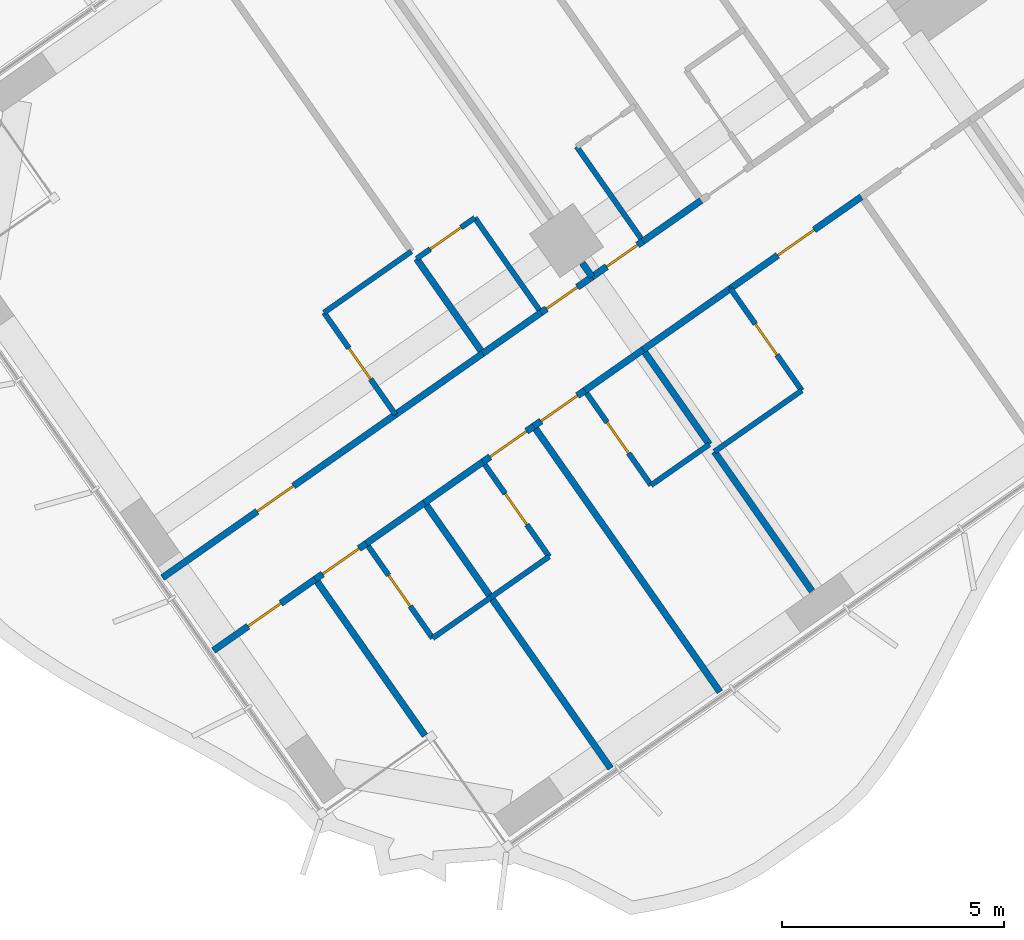
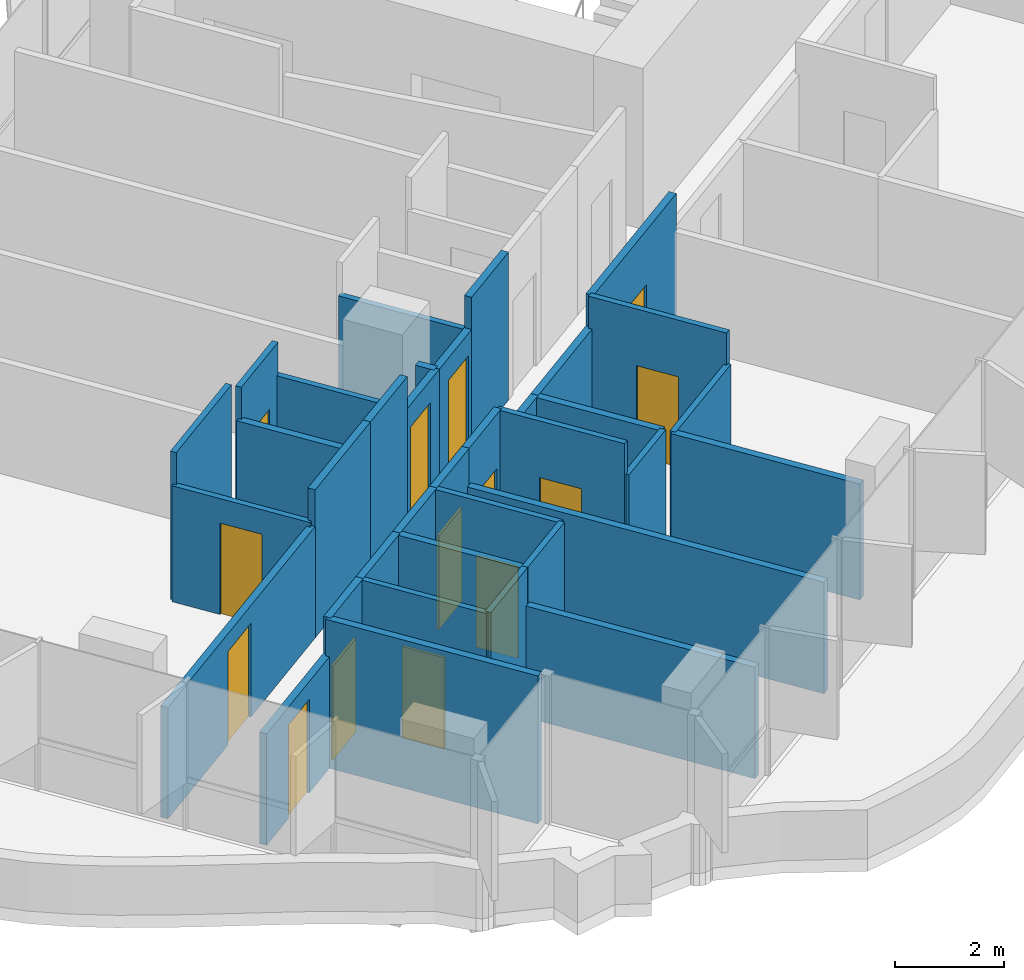
# One storey, part 12 of 24: 36 walls, 14 doors, 14 openings.
"""IFC4 building model written with IfcOpenShell, lengths in metres."""

from ifc_helpers import new_model, si_unit, direction, frame, frame_2d, origin, place, context, subcontext, project, spatial, rectangle, extrude, material, layer, layer_set, type_object, element, fill, save


model = new_model("IFC4")

# Units and contexts
model_context = context("Model", 3, precision=1e-05, world=origin(), true_north=direction((0.0, 1.0)))
body_context = subcontext(model_context, "Body", "Model", "MODEL_VIEW")
ifc_project = project(units=[si_unit("LENGTHUNIT", "METRE"), si_unit("AREAUNIT", "SQUARE_METRE"), si_unit("VOLUMEUNIT", "CUBIC_METRE"), si_unit("PLANEANGLEUNIT", "RADIAN"), si_unit("MASSUNIT", "GRAM", prefix="KILO")], contexts=[model_context])

# Site, building, storey
site_placement = place(None, origin())
site = spatial("IfcSite", under=ifc_project, at=site_placement, CompositionType="ELEMENT")
building_placement = place(site_placement, origin())
building = spatial("IfcBuilding", under=site, at=building_placement, Name="Tel Ilan Convention Tower", CompositionType="ELEMENT")
storey_placement = place(building_placement, frame((0.0, 0.0, 90.5)))
storey = spatial("IfcBuildingStorey", under=building, at=storey_placement, Name="L18", CompositionType="ELEMENT", Elevation=90.5)

# Wall, opening, door
ifc_material_1 = material(Name="Plasterboard on Steel Studs", Category="steel")
ifc_layer_1 = layer(ifc_material_1, 0.14990234375)
ifc_layer_set_1 = layer_set([ifc_layer_1], Name="Fire-rated Partition 150 EI 60")
wall_type_1 = type_object("IfcWallType", Name="Fire-rated Partition 150 EI 60", PredefinedType="PARTITIONING", material=ifc_layer_set_1)
wall_1_placement = place(storey_placement, frame((-27.768310546875, -20.664306640625, 0.0), z_axis=(0.0, 0.0, 1.0), x_axis=(-0.81914197737, -0.573590813132, 0.0)))
wall_1 = element("IfcWall", 1, at=wall_1_placement, inside=storey, type_object=wall_type_1, Name="Partition 023", PredefinedType="PARTITIONING", context=body_context, shape_type="SweptSolid", body=[
    extrude(rectangle(XDim=1.40283203125, YDim=0.14990234375, at=frame_2d((0.701416015625, 0.0))), origin(), (0.0, 0.0, 1.0), 2.60009765625),
])
opening_1_placement = place(wall_1_placement, frame((0.14990234375, 0.0, 0.0)))
opening_1 = element("IfcOpeningElement", 2, at=opening_1_placement, cuts=wall_1, Name="Opening L18-020", PredefinedType="OPENING", context=body_context, shape_type="SweptSolid", body=[
    extrude(rectangle(XDim=0.85009765625, YDim=2.10009765625, at=frame_2d((0.425048828125, 1.050048828125))), frame((0.0, 0.0849609375, 0.0), z_axis=(0.0, -1.0, 0.0), x_axis=(1.0, 0.0, 0.0)), (0.0, 0.0, 1.0), 0.169921875),
])
ifc_material_2 = material(Name="Timber Door Leaf in Steel Frame", Category="steel")
door_type_1 = type_object("IfcDoorType", Name="Room Fire Door 850x2100", OperationType="NOTDEFINED", PredefinedType="DOOR", material=ifc_material_2)
door_1_placement = place(opening_1_placement, origin())
door_1 = element("IfcDoor", 3, at=door_1_placement, inside=storey, type_object=door_type_1, Name="Door L18-020", OperationType="SINGLE_SWING_LEFT", OverallHeight=2.10009765625, OverallWidth=0.85009765625, PredefinedType="DOOR", context=body_context, shape_type="SweptSolid", body=[
    extrude(rectangle(XDim=0.85009765625, YDim=2.10009765625, at=frame_2d((0.425048828125, 1.050048828125))), frame((0.0, 0.02490234375, 0.0), z_axis=(0.0, -1.0, 0.0), x_axis=(1.0, 0.0, 0.0)), (0.0, 0.0, 1.0), 0.050048828125),
])
fill(opening_1, door_1)

# Wall
wall_2_placement = place(storey_placement, frame((-27.770751953125, -20.666015625, 0.0), z_axis=(0.0, 0.0, 1.0), x_axis=(0.819189013667, 0.573523634986, 0.0)))
element("IfcWall", 4, at=wall_2_placement, inside=storey, type_object=wall_type_1, Name="Partition 024", PredefinedType="PARTITIONING", context=body_context, shape_type="SweptSolid", body=[
    extrude(rectangle(XDim=1.60400390625, YDim=0.14990234375, at=frame_2d((0.802001953125, 0.0))), origin(), (0.0, 0.0, 1.0), 3.320068359375),
])

# Wall, opening, door
wall_3_placement = place(storey_placement, frame((-28.914306640625, -21.466796875, 0.0), z_axis=(0.0, 0.0, 1.0), x_axis=(-0.81914197737, -0.573590813132, 0.0)))
wall_3 = element("IfcWall", 5, at=wall_3_placement, inside=storey, type_object=wall_type_1, Name="Partition 025", PredefinedType="PARTITIONING", context=body_context, shape_type="SweptSolid", body=[
    extrude(rectangle(XDim=1.40283203125, YDim=0.14990234375, at=frame_2d((0.701416015625, 0.0))), origin(), (0.0, 0.0, 1.0), 2.60009765625),
])
opening_2_placement = place(wall_3_placement, frame((0.403076171875, 0.0, 0.0)))
opening_2 = element("IfcOpeningElement", 6, at=opening_2_placement, cuts=wall_3, Name="Opening L18-022", PredefinedType="OPENING", context=body_context, shape_type="SweptSolid", body=[
    extrude(rectangle(XDim=0.85009765625, YDim=2.10009765625, at=frame_2d((0.425048828125, 1.050048828125))), frame((0.0, 0.0849609375, 0.0), z_axis=(0.0, -1.0, 0.0), x_axis=(1.0, 0.0, 0.0)), (0.0, 0.0, 1.0), 0.169921875),
])
door_2_placement = place(opening_2_placement, origin())
door_2 = element("IfcDoor", 7, at=door_2_placement, inside=storey, type_object=door_type_1, Name="Door L18-022", OperationType="SINGLE_SWING_RIGHT", OverallHeight=2.10009765625, OverallWidth=0.85009765625, PredefinedType="DOOR", context=body_context, shape_type="SweptSolid", body=[
    extrude(rectangle(XDim=0.85009765625, YDim=2.10009765625, at=frame_2d((0.425048828125, 1.050048828125))), frame((0.0, 0.02490234375, 0.0), z_axis=(0.0, -1.0, 0.0), x_axis=(1.0, 0.0, 0.0)), (0.0, 0.0, 1.0), 0.050048828125),
])
fill(opening_2, door_2)

# Wall
wall_4_placement = place(storey_placement, frame((-31.375, -23.189697265625, 0.0), z_axis=(0.0, 0.0, 1.0), x_axis=(0.819189013667, 0.573523634986, 0.0)))
element("IfcWall", 8, at=wall_4_placement, inside=storey, type_object=wall_type_1, Name="Partition 026", PredefinedType="PARTITIONING", context=body_context, shape_type="SweptSolid", body=[
    extrude(rectangle(XDim=1.60400390625, YDim=0.14990234375, at=frame_2d((0.802001953125, 0.0))), origin(), (0.0, 0.0, 1.0), 3.320068359375),
])

# Wall, opening, door
wall_5_placement = place(storey_placement, frame((-38.581787109375, -28.236083984375, 0.0), z_axis=(0.0, 0.0, 1.0), x_axis=(0.819158447199, 0.573567291939, 0.0)))
wall_5 = element("IfcWall", 9, at=wall_5_placement, inside=storey, type_object=wall_type_1, Name="Partition 027", PredefinedType="PARTITIONING", context=body_context, shape_type="SweptSolid", body=[
    extrude(rectangle(XDim=6.40087890625, YDim=0.14990234375, at=frame_2d((3.200439453125, 0.0))), origin(), (0.0, 0.0, 1.0), 2.5),
])
opening_3_placement = place(wall_5_placement, frame((2.60009765625, 0.0, 0.0)))
opening_3 = element("IfcOpeningElement", 10, at=opening_3_placement, cuts=wall_5, Name="Opening L18-024", PredefinedType="OPENING", context=body_context, shape_type="SweptSolid", body=[
    extrude(rectangle(XDim=1.0, YDim=2.10009765625, at=frame_2d((0.5, 1.050048828125))), frame((0.0, 0.0849609375, 0.0), z_axis=(0.0, -1.0, 0.0), x_axis=(1.0, 0.0, 0.0)), (0.0, 0.0, 1.0), 0.169921875),
])
ifc_material_3 = material(Name="Timber Door Leaf in Steel Frame", Category="steel")
door_type_2 = type_object("IfcDoorType", Name="Hotel Room Entrance Fire Door 1000x2100", OperationType="NOTDEFINED", PredefinedType="DOOR", material=ifc_material_3)
door_3_placement = place(opening_3_placement, origin())
door_3 = element("IfcDoor", 11, at=door_3_placement, inside=storey, type_object=door_type_2, Name="Door L18-024", OperationType="SINGLE_SWING_RIGHT", OverallHeight=2.10009765625, OverallWidth=1.0, PredefinedType="DOOR", context=body_context, shape_type="SweptSolid", body=[
    extrude(rectangle(XDim=1.0, YDim=2.10009765625, at=frame_2d((0.5, 1.050048828125))), frame((0.0, 0.02490234375, 0.0), z_axis=(0.0, -1.0, 0.0), x_axis=(1.0, 0.0, 0.0)), (0.0, 0.0, 1.0), 0.050048828125),
])
fill(opening_3, door_3)

# Wall
wall_6_placement = place(storey_placement, frame((-33.341064453125, -24.56640625, 0.0), z_axis=(0.0, 0.0, 1.0), x_axis=(0.819179439794, 0.573537309527, 0.0)))
element("IfcWall", 12, at=wall_6_placement, inside=storey, type_object=wall_type_1, Name="Partition 028", PredefinedType="PARTITIONING", context=body_context, shape_type="SweptSolid", body=[
    extrude(rectangle(XDim=2.404296875, YDim=0.14990234375, at=frame_2d((1.2021484375, 0.0))), origin(), (0.0, 0.0, 1.0), 3.320068359375),
])

# Wall, opening, door
wall_7_placement = place(storey_placement, frame((-22.852294921875, -19.66357421875, 0.0), z_axis=(0.0, 0.0, 1.0), x_axis=(-0.819145961204, -0.573585123798, 0.0)))
wall_7 = element("IfcWall", 13, at=wall_7_placement, inside=storey, type_object=wall_type_1, Name="Partition 035", PredefinedType="PARTITIONING", context=body_context, shape_type="SweptSolid", body=[
    extrude(rectangle(XDim=3.60302734375, YDim=0.14990234375, at=frame_2d((1.801513671875, 0.0))), origin(), (0.0, 0.0, 1.0), 3.320068359375),
])
opening_4_placement = place(wall_7_placement, frame((1.302001953125, 0.0, 0.0)))
opening_4 = element("IfcOpeningElement", 14, at=opening_4_placement, cuts=wall_7, Name="Opening L18-008", PredefinedType="OPENING", context=body_context, shape_type="SweptSolid", body=[
    extrude(rectangle(XDim=1.0, YDim=2.10009765625, at=frame_2d((0.5, 1.050048828125))), frame((0.0, 0.0849609375, 0.0), z_axis=(0.0, -1.0, 0.0), x_axis=(1.0, 0.0, 0.0)), (0.0, 0.0, 1.0), 0.169921875),
])
door_4_placement = place(opening_4_placement, origin())
door_4 = element("IfcDoor", 15, at=door_4_placement, inside=storey, type_object=door_type_2, Name="Door L18-008", OperationType="SINGLE_SWING_RIGHT", OverallHeight=2.10009765625, OverallWidth=1.0, PredefinedType="DOOR", context=body_context, shape_type="SweptSolid", body=[
    extrude(rectangle(XDim=1.0, YDim=2.10009765625, at=frame_2d((0.5, 1.050048828125))), frame((0.0, 0.02490234375, 0.0), z_axis=(0.0, -1.0, 0.0), x_axis=(1.0, 0.0, 0.0)), (0.0, 0.0, 1.0), 0.050048828125),
])
fill(opening_4, door_4)

# Wall
wall_8_placement = place(storey_placement, frame((-25.801025390625, -21.728515625, 0.0), z_axis=(0.0, 0.0, 1.0), x_axis=(-0.819179439794, -0.573537309527, 0.0)))
element("IfcWall", 16, at=wall_8_placement, inside=storey, type_object=wall_type_1, Name="Partition 036", PredefinedType="PARTITIONING", context=body_context, shape_type="SweptSolid", body=[
    extrude(rectangle(XDim=2.404296875, YDim=0.14990234375, at=frame_2d((1.2021484375, 0.0))), origin(), (0.0, 0.0, 1.0), 2.60009765625),
])

# Wall, opening, door
wall_9_placement = place(storey_placement, frame((-29.07861328125, -24.0234375, 0.0), z_axis=(0.0, 0.0, 1.0), x_axis=(-0.81914197737, -0.573590813132, 0.0)))
wall_9 = element("IfcWall", 17, at=wall_9_placement, inside=storey, type_object=wall_type_1, Name="Partition 037", PredefinedType="PARTITIONING", context=body_context, shape_type="SweptSolid", body=[
    extrude(rectangle(XDim=1.40283203125, YDim=0.14990234375, at=frame_2d((0.701416015625, 0.0))), origin(), (0.0, 0.0, 1.0), 3.320068359375),
])
opening_5_placement = place(wall_9_placement, frame((0.200927734375, 0.0, 0.0)))
opening_5 = element("IfcOpeningElement", 18, at=opening_5_placement, cuts=wall_9, Name="Opening L18-010", PredefinedType="OPENING", context=body_context, shape_type="SweptSolid", body=[
    extrude(rectangle(XDim=1.0, YDim=2.10009765625, at=frame_2d((0.5, 1.050048828125))), frame((0.0, 0.0849609375, 0.0), z_axis=(0.0, -1.0, 0.0), x_axis=(1.0, 0.0, 0.0)), (0.0, 0.0, 1.0), 0.169921875),
])
door_5_placement = place(opening_5_placement, origin())
door_5 = element("IfcDoor", 19, at=door_5_placement, inside=storey, type_object=door_type_2, Name="Door L18-010", OperationType="SINGLE_SWING_LEFT", OverallHeight=2.10009765625, OverallWidth=1.0, PredefinedType="DOOR", context=body_context, shape_type="SweptSolid", body=[
    extrude(rectangle(XDim=1.0, YDim=2.10009765625, at=frame_2d((0.5, 1.050048828125))), frame((0.0, 0.02490234375, 0.0), z_axis=(0.0, -1.0, 0.0), x_axis=(1.0, 0.0, 0.0)), (0.0, 0.0, 1.0), 0.050048828125),
])
fill(opening_5, door_5)

# Wall
wall_10_placement = place(storey_placement, frame((-27.76708984375, -23.10498046875, 0.0), z_axis=(0.0, 0.0, 1.0), x_axis=(-0.819117502046, -0.573625764625, 0.0)))
element("IfcWall", 20, at=wall_10_placement, inside=storey, type_object=wall_type_1, Name="Partition 038", PredefinedType="PARTITIONING", context=body_context, shape_type="SweptSolid", body=[
    extrude(rectangle(XDim=1.60400390625, YDim=0.14990234375, at=frame_2d((0.802001953125, 0.0))), origin(), (0.0, 0.0, 1.0), 2.60009765625),
])

# Wall, opening, door
wall_11_placement = place(storey_placement, frame((-30.224609375, -24.82568359375, 0.0), z_axis=(0.0, 0.0, 1.0), x_axis=(-0.819060210533, -0.573707566205, 0.0)))
wall_11 = element("IfcWall", 21, at=wall_11_placement, inside=storey, type_object=wall_type_1, Name="Partition 039", PredefinedType="PARTITIONING", context=body_context, shape_type="SweptSolid", body=[
    extrude(rectangle(XDim=1.403076171875, YDim=0.14990234375, at=frame_2d((0.70166015625, 0.0))), origin(), (0.0, 0.0, 1.0), 3.320068359375),
])
opening_6_placement = place(wall_11_placement, frame((0.201904296875, 0.0, 0.0)))
opening_6 = element("IfcOpeningElement", 22, at=opening_6_placement, cuts=wall_11, Name="Opening L18-012", PredefinedType="OPENING", context=body_context, shape_type="SweptSolid", body=[
    extrude(rectangle(XDim=1.0, YDim=2.10009765625, at=frame_2d((0.5, 1.050048828125))), frame((0.0, 0.0849609375, 0.0), z_axis=(0.0, -1.0, 0.0), x_axis=(1.0, 0.0, 0.0)), (0.0, 0.0, 1.0), 0.169921875),
])
door_6_placement = place(opening_6_placement, origin())
door_6 = element("IfcDoor", 23, at=door_6_placement, inside=storey, type_object=door_type_2, Name="Door L18-012", OperationType="SINGLE_SWING_LEFT", OverallHeight=2.10009765625, OverallWidth=1.0, PredefinedType="DOOR", context=body_context, shape_type="SweptSolid", body=[
    extrude(rectangle(XDim=1.0, YDim=2.10009765625, at=frame_2d((0.5, 1.050048828125))), frame((0.0, 0.02490234375, 0.0), z_axis=(0.0, -1.0, 0.0), x_axis=(1.0, 0.0, 0.0)), (0.0, 0.0, 1.0), 0.050048828125),
])
fill(opening_6, door_6)

# Wall
wall_12_placement = place(storey_placement, frame((-31.371337890625, -25.62890625, 0.0), z_axis=(0.0, 0.0, 1.0), x_axis=(-0.819189013667, -0.573523634986, 0.0)))
element("IfcWall", 24, at=wall_12_placement, inside=storey, type_object=wall_type_1, Name="Partition 040", PredefinedType="PARTITIONING", context=body_context, shape_type="SweptSolid", body=[
    extrude(rectangle(XDim=1.60400390625, YDim=0.14990234375, at=frame_2d((0.802001953125, 0.0))), origin(), (0.0, 0.0, 1.0), 3.320068359375),
])

# Wall, opening, door
wall_13_placement = place(storey_placement, frame((-33.993408203125, -27.46484375, 0.0), z_axis=(0.0, 0.0, 1.0), x_axis=(-0.819199220913, -0.573509055252, 0.0)))
wall_13 = element("IfcWall", 25, at=wall_13_placement, inside=storey, type_object=wall_type_1, Name="Partition 041", PredefinedType="PARTITIONING", context=body_context, shape_type="SweptSolid", body=[
    extrude(rectangle(XDim=1.403076171875, YDim=0.14990234375, at=frame_2d((0.70166015625, 0.0))), origin(), (0.0, 0.0, 1.0), 3.320068359375),
])
opening_7_placement = place(wall_13_placement, frame((0.200927734375, 0.0, 0.0)))
opening_7 = element("IfcOpeningElement", 26, at=opening_7_placement, cuts=wall_13, Name="Opening L18-014", PredefinedType="OPENING", context=body_context, shape_type="SweptSolid", body=[
    extrude(rectangle(XDim=1.0, YDim=2.10009765625, at=frame_2d((0.5, 1.050048828125))), frame((0.0, 0.0849609375, 0.0), z_axis=(0.0, -1.0, 0.0), x_axis=(1.0, 0.0, 0.0)), (0.0, 0.0, 1.0), 0.169921875),
])
door_7_placement = place(opening_7_placement, origin())
door_7 = element("IfcDoor", 27, at=door_7_placement, inside=storey, type_object=door_type_2, Name="Door L18-014", OperationType="SINGLE_SWING_LEFT", OverallHeight=2.10009765625, OverallWidth=1.0, PredefinedType="DOOR", context=body_context, shape_type="SweptSolid", body=[
    extrude(rectangle(XDim=1.0, YDim=2.10009765625, at=frame_2d((0.5, 1.050048828125))), frame((0.0, 0.02490234375, 0.0), z_axis=(0.0, -1.0, 0.0), x_axis=(1.0, 0.0, 0.0)), (0.0, 0.0, 1.0), 0.050048828125),
])
fill(opening_7, door_7)

# Wall
wall_14_placement = place(storey_placement, frame((-32.681884765625, -26.54638671875, 0.0), z_axis=(0.0, 0.0, 1.0), x_axis=(-0.819117502046, -0.573625764625, 0.0)))
element("IfcWall", 28, at=wall_14_placement, inside=storey, type_object=wall_type_1, Name="Partition 042", PredefinedType="PARTITIONING", context=body_context, shape_type="SweptSolid", body=[
    extrude(rectangle(XDim=1.60400390625, YDim=0.14990234375, at=frame_2d((0.802001953125, 0.0))), origin(), (0.0, 0.0, 1.0), 3.320068359375),
])

# Wall, opening, door
wall_15_placement = place(storey_placement, frame((-35.139404296875, -28.26708984375, 0.0), z_axis=(0.0, 0.0, 1.0), x_axis=(-0.819125488359, -0.573614360281, 0.0)))
wall_15 = element("IfcWall", 29, at=wall_15_placement, inside=storey, type_object=wall_type_1, Name="Partition 043", PredefinedType="PARTITIONING", context=body_context, shape_type="SweptSolid", body=[
    extrude(rectangle(XDim=2.80224609375, YDim=0.14990234375, at=frame_2d((1.401123046875, 0.0))), origin(), (0.0, 0.0, 1.0), 2.5),
])
opening_8_placement = place(wall_15_placement, frame((0.950927734375, 0.0, 0.0)))
opening_8 = element("IfcOpeningElement", 30, at=opening_8_placement, cuts=wall_15, Name="Opening L18-015", PredefinedType="OPENING", context=body_context, shape_type="SweptSolid", body=[
    extrude(rectangle(XDim=0.89990234375, YDim=2.10009765625, at=frame_2d((0.449951171875, 1.050048828125))), frame((0.0, 0.0849609375, 0.0), z_axis=(0.0, -1.0, 0.0), x_axis=(1.0, 0.0, 0.0)), (0.0, 0.0, 1.0), 0.169921875),
])
ifc_material_4 = material(Name="Timber Door Leaf in Steel Frame", Category="steel")
door_type_3 = type_object("IfcDoorType", Name="Room Fire Door 900x2100", OperationType="NOTDEFINED", PredefinedType="DOOR", material=ifc_material_4)
door_8_placement = place(opening_8_placement, origin())
door_8 = element("IfcDoor", 31, at=door_8_placement, inside=storey, type_object=door_type_3, Name="Door L18-015", OperationType="SINGLE_SWING_LEFT", OverallHeight=2.10009765625, OverallWidth=0.89990234375, PredefinedType="DOOR", context=body_context, shape_type="SweptSolid", body=[
    extrude(rectangle(XDim=0.89990234375, YDim=2.10009765625, at=frame_2d((0.449951171875, 1.050048828125))), frame((0.0, 0.02490234375, 0.0), z_axis=(0.0, -1.0, 0.0), x_axis=(1.0, 0.0, 0.0)), (0.0, 0.0, 1.0), 0.050048828125),
])
fill(opening_8, door_8)

# Walls
wall_16_placement = place(storey_placement, frame((-28.916015625, -21.468017578125, 0.0), z_axis=(0.0, 0.0, 1.0), x_axis=(-0.572944929411, 0.819593867633, 0.0)))
element("IfcWall", 32, at=wall_16_placement, inside=storey, type_object=wall_type_1, Name="Partition 092", PredefinedType="PARTITIONING", context=body_context, shape_type="SweptSolid", body=[
    extrude(rectangle(XDim=0.380126953125, YDim=0.14990234375, at=frame_2d((0.18994140625, 0.0))), origin(), (0.0, 0.0, 1.0), 2.60009765625),
])
wall_17_placement = place(storey_placement, frame((-31.373291015625, -23.188720703125, 0.0), z_axis=(0.0, 0.0, 1.0), x_axis=(-0.573600972199, 0.819134863556, 0.0)))
element("IfcWall", 33, at=wall_17_placement, inside=storey, type_object=wall_type_1, Name="Partition 097", PredefinedType="PARTITIONING", context=body_context, shape_type="SweptSolid", body=[
    extrude(rectangle(XDim=2.60009765625, YDim=0.14990234375, at=frame_2d((1.300048828125, 0.0))), origin(), (0.0, 0.0, 1.0), 2.60009765625),
])
wall_18_placement = place(storey_placement, frame((-23.9658203125, -28.537109375, 0.0), z_axis=(0.0, 0.0, 1.0), x_axis=(-0.573594994199, 0.819139049631, 0.0)))
element("IfcWall", 34, at=wall_18_placement, inside=storey, type_object=wall_type_1, Name="Partition 112", PredefinedType="PARTITIONING", context=body_context, shape_type="SweptSolid", body=[
    extrude(rectangle(XDim=3.8291015625, YDim=0.14990234375, at=frame_2d((1.91455078125, 0.0))), origin(), (0.0, 0.0, 1.0), 2.60009765625),
])
wall_19_placement = place(storey_placement, frame((-26.2763671875, -25.237548828125, 0.0), z_axis=(0.0, 0.0, 1.0), x_axis=(-0.573588285102, 0.819143747577, 0.0)))
element("IfcWall", 35, at=wall_19_placement, inside=storey, type_object=wall_type_1, Name="Partition 113", PredefinedType="PARTITIONING", context=body_context, shape_type="SweptSolid", body=[
    extrude(rectangle(XDim=2.601806640625, YDim=0.14990234375, at=frame_2d((1.30078125, 0.0))), origin(), (0.0, 0.0, 1.0), 2.60009765625),
])
wall_20_placement = place(storey_placement, frame((-26.0390625, -30.806640625, 0.0), z_axis=(0.0, 0.0, 1.0), x_axis=(-0.573594765376, 0.819139209862, 0.0)))
element("IfcWall", 36, at=wall_20_placement, inside=storey, type_object=wall_type_1, Name="Partition 116", PredefinedType="PARTITIONING", context=body_context, shape_type="SweptSolid", body=[
    extrude(rectangle(XDim=7.300048828125, YDim=0.14990234375, at=frame_2d((3.64990234375, 0.0))), origin(), (0.0, 0.0, 1.0), 2.5),
])
wall_21_placement = place(storey_placement, frame((-28.49658203125, -32.527587890625, 0.0), z_axis=(0.0, 0.0, 1.0), x_axis=(-0.573570431261, 0.819156249066, 0.0)))
element("IfcWall", 37, at=wall_21_placement, inside=storey, type_object=wall_type_1, Name="Partition 119", PredefinedType="PARTITIONING", context=body_context, shape_type="SweptSolid", body=[
    extrude(rectangle(XDim=4.69921875, YDim=0.14990234375, at=frame_2d((2.349609375, 0.0))), origin(), (0.0, 0.0, 1.0), 2.5),
])
wall_22_placement = place(storey_placement, frame((-31.1923828125, -28.677490234375, 0.0), z_axis=(0.0, 0.0, 1.0), x_axis=(-0.573537965655, 0.819178980414, 0.0)))
element("IfcWall", 38, at=wall_22_placement, inside=storey, type_object=wall_type_1, Name="Partition 120", PredefinedType="PARTITIONING", context=body_context, shape_type="SweptSolid", body=[
    extrude(rectangle(XDim=2.60009765625, YDim=0.14990234375, at=frame_2d((1.300048828125, 0.0))), origin(), (0.0, 0.0, 1.0), 3.320068359375),
])
wall_23_placement = place(storey_placement, frame((-32.6748046875, -31.790771484375, 0.0), z_axis=(0.0, 0.0, 1.0), x_axis=(-0.573553792486, 0.819167899227, 0.0)))
element("IfcWall", 39, at=wall_23_placement, inside=storey, type_object=wall_type_1, Name="Partition 123", PredefinedType="PARTITIONING", context=body_context, shape_type="SweptSolid", body=[
    extrude(rectangle(XDim=4.300048828125, YDim=0.14990234375, at=frame_2d((2.14990234375, 0.0))), origin(), (0.0, 0.0, 1.0), 3.320068359375),
])
ifc_material_5 = material(Name="Plasterboard on Steel Studs", Category="steel")
ifc_layer_2 = layer(ifc_material_5, 0.1201171875)
ifc_layer_set_2 = layer_set([ifc_layer_2], Name="Moisture-resistant Partition 120")
wall_type_2 = type_object("IfcWallType", Name="Moisture-resistant Partition 120", PredefinedType="PARTITIONING", material=ifc_layer_set_2)
for number, where, z_axis, x_axis, name in (
    (40, (-29.26123046875, -18.53564453125, 0.0), (0.0, 0.0, 1.0), (0.573537965655, -0.819178980414, 0.0), "Partition 091"),
    (41, (-30.06201171875, -22.270263671875, 0.0), (0.0, 0.0, 1.0), (-0.573537965655, 0.819178980414, 0.0), "Partition 094"),
):
    element("IfcWall", number, at=place(storey_placement, frame(where, z_axis=z_axis, x_axis=x_axis)), inside=storey, type_object=wall_type_2, Name=name, PredefinedType="PARTITIONING", context=body_context, shape_type="SweptSolid", body=[
        extrude(rectangle(XDim=2.60009765625, YDim=0.1201171875, at=frame_2d((1.300048828125, 0.0))), origin(), (0.0, 0.0, 1.0), 2.60009765625),
    ])

# Wall, opening, door
wall_24_placement = place(storey_placement, frame((-31.5546875, -20.140380859375, 0.0), z_axis=(0.0, 0.0, 1.0), x_axis=(-0.819131543282, -0.57360571371, 0.0)))
wall_24 = element("IfcWall", 42, at=wall_24_placement, inside=storey, type_object=wall_type_2, Name="Partition 095", PredefinedType="PARTITIONING", context=body_context, shape_type="SweptSolid", body=[
    extrude(rectangle(XDim=1.599853515625, YDim=0.1201171875, at=frame_2d((0.7998046875, 0.0))), origin(), (0.0, 0.0, 1.0), 3.320068359375),
])
opening_9_placement = place(wall_24_placement, frame((0.375, 0.0, 0.0)))
opening_9 = element("IfcOpeningElement", 43, at=opening_9_placement, cuts=wall_24, Name="Opening L18-021", PredefinedType="OPENING", context=body_context, shape_type="SweptSolid", body=[
    extrude(rectangle(XDim=0.85009765625, YDim=2.050048828125, at=frame_2d((0.425048828125, 1.02490234375))), frame((0.0, 0.070068359375, 0.0), z_axis=(0.0, -1.0, 0.0), x_axis=(1.0, 0.0, 0.0)), (0.0, 0.0, 1.0), 0.14013671875),
])
ifc_material_6 = material(Name="Timber Door Leaf in Steel Frame", Category="steel")
door_type_4 = type_object("IfcDoorType", Name="Bathroom Timber Door 850x2050", OperationType="NOTDEFINED", PredefinedType="DOOR", material=ifc_material_6)
door_9_placement = place(opening_9_placement, origin())
door_9 = element("IfcDoor", 44, at=door_9_placement, inside=storey, type_object=door_type_4, Name="Door L18-021", OperationType="SINGLE_SWING_LEFT", OverallHeight=2.050048828125, OverallWidth=0.85009765625, PredefinedType="DOOR", context=body_context, shape_type="SweptSolid", body=[
    extrude(rectangle(XDim=0.85009765625, YDim=2.050048828125, at=frame_2d((0.425048828125, 1.02490234375))), frame((0.0, 0.02490234375, 0.0), z_axis=(0.0, -1.0, 0.0), x_axis=(1.0, 0.0, 0.0)), (0.0, 0.0, 1.0), 0.050048828125),
])
fill(opening_9, door_9)

# Wall
wall_25_placement = place(storey_placement, frame((-32.97998046875, -20.894287109375, 0.0), z_axis=(0.0, 0.0, 1.0), x_axis=(-0.819155442668, -0.573571582932, 0.0)))
element("IfcWall", 45, at=wall_25_placement, inside=storey, type_object=wall_type_2, Name="Partition 098", PredefinedType="PARTITIONING", context=body_context, shape_type="SweptSolid", body=[
    extrude(rectangle(XDim=2.39990234375, YDim=0.1201171875, at=frame_2d((1.199951171875, 0.0))), origin(), (0.0, 0.0, 1.0), 3.320068359375),
])

# Wall, opening, door
wall_26_placement = place(storey_placement, frame((-34.9462890625, -22.272216796875, 0.0), z_axis=(0.0, 0.0, 1.0), x_axis=(0.573608623498, -0.819129505664, 0.0)))
wall_26 = element("IfcWall", 46, at=wall_26_placement, inside=storey, type_object=wall_type_2, Name="Partition 099", PredefinedType="PARTITIONING", context=body_context, shape_type="SweptSolid", body=[
    extrude(rectangle(XDim=2.800048828125, YDim=0.1201171875, at=frame_2d((1.39990234375, 0.0))), origin(), (0.0, 0.0, 1.0), 2.60009765625),
])
opening_10_placement = place(wall_26_placement, frame((0.97509765625, 0.0, 0.0)))
opening_10 = element("IfcOpeningElement", 47, at=opening_10_placement, cuts=wall_26, Name="Opening L18-023", PredefinedType="OPENING", context=body_context, shape_type="SweptSolid", body=[
    extrude(rectangle(XDim=0.85009765625, YDim=2.050048828125, at=frame_2d((0.425048828125, 1.02490234375))), frame((0.0, 0.070068359375, 0.0), z_axis=(0.0, -1.0, 0.0), x_axis=(1.0, 0.0, 0.0)), (0.0, 0.0, 1.0), 0.14013671875),
])
door_10_placement = place(opening_10_placement, origin())
door_10 = element("IfcDoor", 48, at=door_10_placement, inside=storey, type_object=door_type_4, Name="Door L18-023", OperationType="SINGLE_SWING_LEFT", OverallHeight=2.050048828125, OverallWidth=0.85009765625, PredefinedType="DOOR", context=body_context, shape_type="SweptSolid", body=[
    extrude(rectangle(XDim=0.85009765625, YDim=2.050048828125, at=frame_2d((0.425048828125, 1.02490234375))), frame((0.0, 0.02490234375, 0.0), z_axis=(0.0, -1.0, 0.0), x_axis=(1.0, 0.0, 0.0)), (0.0, 0.0, 1.0), 0.050048828125),
])
fill(opening_10, door_10)

# Wall
wall_27_placement = place(storey_placement, frame((-26.162109375, -25.400634765625, 0.0), z_axis=(0.0, 0.0, 1.0), x_axis=(0.819155442668, 0.573571582932, 0.0)))
element("IfcWall", 49, at=wall_27_placement, inside=storey, type_object=wall_type_2, Name="Partition 110", PredefinedType="PARTITIONING", context=body_context, shape_type="SweptSolid", body=[
    extrude(rectangle(XDim=2.39990234375, YDim=0.1201171875, at=frame_2d((1.199951171875, 0.0))), origin(), (0.0, 0.0, 1.0), 2.60009765625),
])

# Wall, opening, door
wall_28_placement = place(storey_placement, frame((-24.19580078125, -24.022705078125, 0.0), z_axis=(0.0, 0.0, 1.0), x_axis=(-0.573608623498, 0.819129505664, 0.0)))
wall_28 = element("IfcWall", 50, at=wall_28_placement, inside=storey, type_object=wall_type_2, Name="Partition 111", PredefinedType="PARTITIONING", context=body_context, shape_type="SweptSolid", body=[
    extrude(rectangle(XDim=2.800048828125, YDim=0.1201171875, at=frame_2d((1.39990234375, 0.0))), origin(), (0.0, 0.0, 1.0), 3.320068359375),
])
opening_11_placement = place(wall_28_placement, frame((0.97509765625, 0.0, 0.0)))
opening_11 = element("IfcOpeningElement", 51, at=opening_11_placement, cuts=wall_28, Name="Opening L18-007", PredefinedType="OPENING", context=body_context, shape_type="SweptSolid", body=[
    extrude(rectangle(XDim=0.85009765625, YDim=2.050048828125, at=frame_2d((0.425048828125, 1.02490234375))), frame((0.0, 0.070068359375, 0.0), z_axis=(0.0, -1.0, 0.0), x_axis=(1.0, 0.0, 0.0)), (0.0, 0.0, 1.0), 0.14013671875),
])
door_11_placement = place(opening_11_placement, origin())
door_11 = element("IfcDoor", 52, at=door_11_placement, inside=storey, type_object=door_type_4, Name="Door L18-007", OperationType="SINGLE_SWING_LEFT", OverallHeight=2.050048828125, OverallWidth=0.85009765625, PredefinedType="DOOR", context=body_context, shape_type="SweptSolid", body=[
    extrude(rectangle(XDim=0.85009765625, YDim=2.050048828125, at=frame_2d((0.425048828125, 1.02490234375))), frame((0.0, 0.02490234375, 0.0), z_axis=(0.0, -1.0, 0.0), x_axis=(1.0, 0.0, 0.0)), (0.0, 0.0, 1.0), 0.050048828125),
])
fill(opening_11, door_11)

wall_29_placement = place(storey_placement, frame((-29.080078125, -24.0244140625, 0.0), z_axis=(0.0, 0.0, 1.0), x_axis=(0.573537965655, -0.819178980414, 0.0)))
wall_29 = element("IfcWall", 53, at=wall_29_placement, inside=storey, type_object=wall_type_2, Name="Partition 114", PredefinedType="PARTITIONING", context=body_context, shape_type="SweptSolid", body=[
    extrude(rectangle(XDim=2.60009765625, YDim=0.1201171875, at=frame_2d((1.300048828125, 0.0))), origin(), (0.0, 0.0, 1.0), 3.320068359375),
])
opening_12_placement = place(wall_29_placement, frame((0.875, 0.0, 0.0)))
opening_12 = element("IfcOpeningElement", 54, at=opening_12_placement, cuts=wall_29, Name="Opening L18-009", PredefinedType="OPENING", context=body_context, shape_type="SweptSolid", body=[
    extrude(rectangle(XDim=0.85009765625, YDim=2.050048828125, at=frame_2d((0.425048828125, 1.02490234375))), frame((0.0, 0.070068359375, 0.0), z_axis=(0.0, -1.0, 0.0), x_axis=(1.0, 0.0, 0.0)), (0.0, 0.0, 1.0), 0.14013671875),
])
door_12_placement = place(opening_12_placement, origin())
door_12 = element("IfcDoor", 55, at=door_12_placement, inside=storey, type_object=door_type_4, Name="Door L18-009", OperationType="SINGLE_SWING_RIGHT", OverallHeight=2.050048828125, OverallWidth=0.85009765625, PredefinedType="DOOR", context=body_context, shape_type="SweptSolid", body=[
    extrude(rectangle(XDim=0.85009765625, YDim=2.050048828125, at=frame_2d((0.425048828125, 1.02490234375))), frame((0.0, 0.02490234375, 0.0), z_axis=(0.0, -1.0, 0.0), x_axis=(1.0, 0.0, 0.0)), (0.0, 0.0, 1.0), 0.050048828125),
])
fill(opening_12, door_12)

# Walls
wall_30_placement = place(storey_placement, frame((-27.58740234375, -26.154541015625, 0.0), z_axis=(0.0, 0.0, 1.0), x_axis=(0.819131543282, 0.57360571371, 0.0)))
element("IfcWall", 56, at=wall_30_placement, inside=storey, type_object=wall_type_2, Name="Partition 115", PredefinedType="PARTITIONING", context=body_context, shape_type="SweptSolid", body=[
    extrude(rectangle(XDim=1.599853515625, YDim=0.1201171875, at=frame_2d((0.7998046875, 0.0))), origin(), (0.0, 0.0, 1.0), 2.60009765625),
])
wall_31_placement = place(storey_placement, frame((-31.19189453125, -28.67822265625, 0.0), z_axis=(0.0, 0.0, 1.0), x_axis=(0.81918174131, 0.573534022273, 0.0)))
element("IfcWall", 57, at=wall_31_placement, inside=storey, type_object=wall_type_2, Name="Partition 117", PredefinedType="PARTITIONING", context=body_context, shape_type="SweptSolid", body=[
    extrude(rectangle(XDim=1.60009765625, YDim=0.1201171875, at=frame_2d((0.800048828125, 0.0))), origin(), (0.0, 0.0, 1.0), 3.320068359375),
])

# Wall, opening, door
wall_32_placement = place(storey_placement, frame((-29.880859375, -27.75927734375, 0.0), z_axis=(0.0, 0.0, 1.0), x_axis=(-0.573600972199, 0.819134863556, 0.0)))
wall_32 = element("IfcWall", 58, at=wall_32_placement, inside=storey, type_object=wall_type_2, Name="Partition 118", PredefinedType="PARTITIONING", context=body_context, shape_type="SweptSolid", body=[
    extrude(rectangle(XDim=2.60009765625, YDim=0.1201171875, at=frame_2d((1.300048828125, 0.0))), origin(), (0.0, 0.0, 1.0), 3.320068359375),
])
opening_13_placement = place(wall_32_placement, frame((0.875, 0.0, 0.0)))
opening_13 = element("IfcOpeningElement", 59, at=opening_13_placement, cuts=wall_32, Name="Opening L18-011", PredefinedType="OPENING", context=body_context, shape_type="SweptSolid", body=[
    extrude(rectangle(XDim=0.85009765625, YDim=2.050048828125, at=frame_2d((0.425048828125, 1.02490234375))), frame((0.0, 0.070068359375, 0.0), z_axis=(0.0, -1.0, 0.0), x_axis=(1.0, 0.0, 0.0)), (0.0, 0.0, 1.0), 0.14013671875),
])
door_13_placement = place(opening_13_placement, origin())
door_13 = element("IfcDoor", 60, at=door_13_placement, inside=storey, type_object=door_type_4, Name="Door L18-011", OperationType="SINGLE_SWING_RIGHT", OverallHeight=2.050048828125, OverallWidth=0.85009765625, PredefinedType="DOOR", context=body_context, shape_type="SweptSolid", body=[
    extrude(rectangle(XDim=0.85009765625, YDim=2.050048828125, at=frame_2d((0.425048828125, 1.02490234375))), frame((0.0, 0.02490234375, 0.0), z_axis=(0.0, -1.0, 0.0), x_axis=(1.0, 0.0, 0.0)), (0.0, 0.0, 1.0), 0.050048828125),
])
fill(opening_13, door_13)

wall_33_placement = place(storey_placement, frame((-33.9951171875, -27.466064453125, 0.0), z_axis=(0.0, 0.0, 1.0), x_axis=(0.573582085028, -0.819148089014, 0.0)))
wall_33 = element("IfcWall", 61, at=wall_33_placement, inside=storey, type_object=wall_type_2, Name="Partition 121", PredefinedType="PARTITIONING", context=body_context, shape_type="SweptSolid", body=[
    extrude(rectangle(XDim=2.599853515625, YDim=0.1201171875, at=frame_2d((1.2998046875, 0.0))), origin(), (0.0, 0.0, 1.0), 3.320068359375),
])
opening_14_placement = place(wall_33_placement, frame((0.875, 0.0, 0.0)))
opening_14 = element("IfcOpeningElement", 62, at=opening_14_placement, cuts=wall_33, Name="Opening L18-013", PredefinedType="OPENING", context=body_context, shape_type="SweptSolid", body=[
    extrude(rectangle(XDim=0.85009765625, YDim=2.050048828125, at=frame_2d((0.425048828125, 1.02490234375))), frame((0.0, 0.070068359375, 0.0), z_axis=(0.0, -1.0, 0.0), x_axis=(1.0, 0.0, 0.0)), (0.0, 0.0, 1.0), 0.14013671875),
])
door_14_placement = place(opening_14_placement, origin())
door_14 = element("IfcDoor", 63, at=door_14_placement, inside=storey, type_object=door_type_4, Name="Door L18-013", OperationType="SINGLE_SWING_RIGHT", OverallHeight=2.050048828125, OverallWidth=0.85009765625, PredefinedType="DOOR", context=body_context, shape_type="SweptSolid", body=[
    extrude(rectangle(XDim=0.85009765625, YDim=2.050048828125, at=frame_2d((0.425048828125, 1.02490234375))), frame((0.0, 0.02490234375, 0.0), z_axis=(0.0, -1.0, 0.0), x_axis=(1.0, 0.0, 0.0)), (0.0, 0.0, 1.0), 0.050048828125),
])
fill(opening_14, door_14)

# Wall
wall_34_placement = place(storey_placement, frame((-32.50244140625, -29.595947265625, 0.0), z_axis=(0.0, 0.0, 1.0), x_axis=(0.819131543282, 0.57360571371, 0.0)))
element("IfcWall", 64, at=wall_34_placement, inside=storey, type_object=wall_type_2, Name="Partition 122", PredefinedType="PARTITIONING", context=body_context, shape_type="SweptSolid", body=[
    extrude(rectangle(XDim=1.599853515625, YDim=0.1201171875, at=frame_2d((0.7998046875, 0.0))), origin(), (0.0, 0.0, 1.0), 3.320068359375),
])

save(model, "model.ifc")
